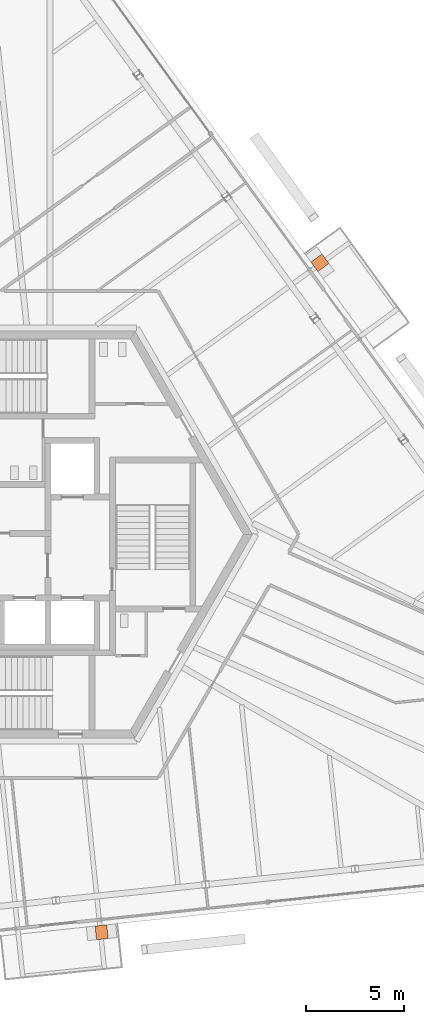
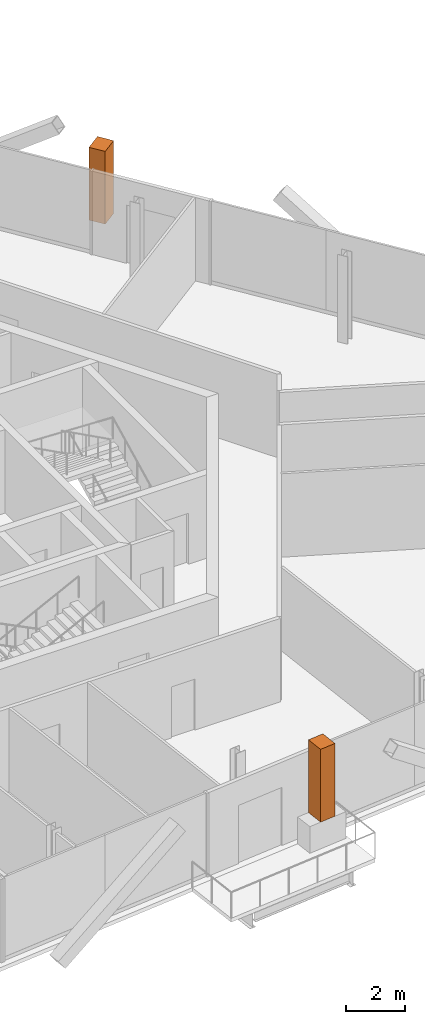
# One storey, part 18 of 18: 2 geographic elements.
"""IFC4 building model written with IfcOpenShell, lengths in metres."""

from ifc_helpers import new_model, si_unit, direction, frame, origin, origin_2d, place, context, subcontext, project, spatial, rectangle, extrude, source, transform, mapped, material, type_object, element, save


model = new_model("IFC4")

# Units and contexts
model_context = context("Model", 3, precision=1e-05, world=origin(), true_north=direction((0.0, 1.0)))
body_context = subcontext(model_context, "Body", "Model", "MODEL_VIEW")
ifc_project = project(units=[si_unit("LENGTHUNIT", "METRE"), si_unit("AREAUNIT", "SQUARE_METRE"), si_unit("VOLUMEUNIT", "CUBIC_METRE"), si_unit("PLANEANGLEUNIT", "RADIAN"), si_unit("MASSUNIT", "GRAM", prefix="KILO")], contexts=[model_context])

# Site, building, storey
site_placement = place(None, origin())
site = spatial("IfcSite", under=ifc_project, at=site_placement, CompositionType="ELEMENT")
building_placement = place(site_placement, origin())
building = spatial("IfcBuilding", under=site, at=building_placement, Name="Triune Harvest Tower", CompositionType="ELEMENT")
storey_placement = place(building_placement, frame((0.0, 0.0, 230.5)))
storey = spatial("IfcBuildingStorey", under=building, at=storey_placement, Name="L60", CompositionType="ELEMENT", Elevation=230.5)

# Geographic elements
ifc_material = material(Name="TREE-1 tree")
geographic_element_type = type_object("IfcGeographicElementType", Name="TREE-1 tree", PredefinedType="USERDEFINED", material=ifc_material)
shared_shape = source(origin(), body_context, "Body", "SweptSolid", [
    extrude(rectangle(XDim=0.60009765625, YDim=0.699951171875, at=origin_2d()), origin(), (0.0, 0.0, 1.0), 3.0),
])
for number, where, z_axis, x_axis, name in (
    (1, (15.4453125, 13.879150390625, 1.10009765625), (0.0, 0.0, 1.0), (-0.587785672066, 0.809016689391, 0.0), "Tree B6-F1 L60.6b"),
    (2, (4.297119140625, -20.3154296875, 1.10009765625), (0.0, 0.0, 1.0), (0.994521747579, 0.104529869379, 0.0), "Tree B6-F5 L60.6b"),
):
    element("IfcGeographicElement", number, at=place(storey_placement, frame(where, z_axis=z_axis, x_axis=x_axis)), inside=storey, type_object=geographic_element_type, Name=name, ObjectType="TREE", PredefinedType="USERDEFINED", context=body_context, shape_type="MappedRepresentation", body=[
        mapped(shared_shape, transform((0.0, 0.0, 0.0), scale=1.0)),
    ])

save(model, "model.ifc")
